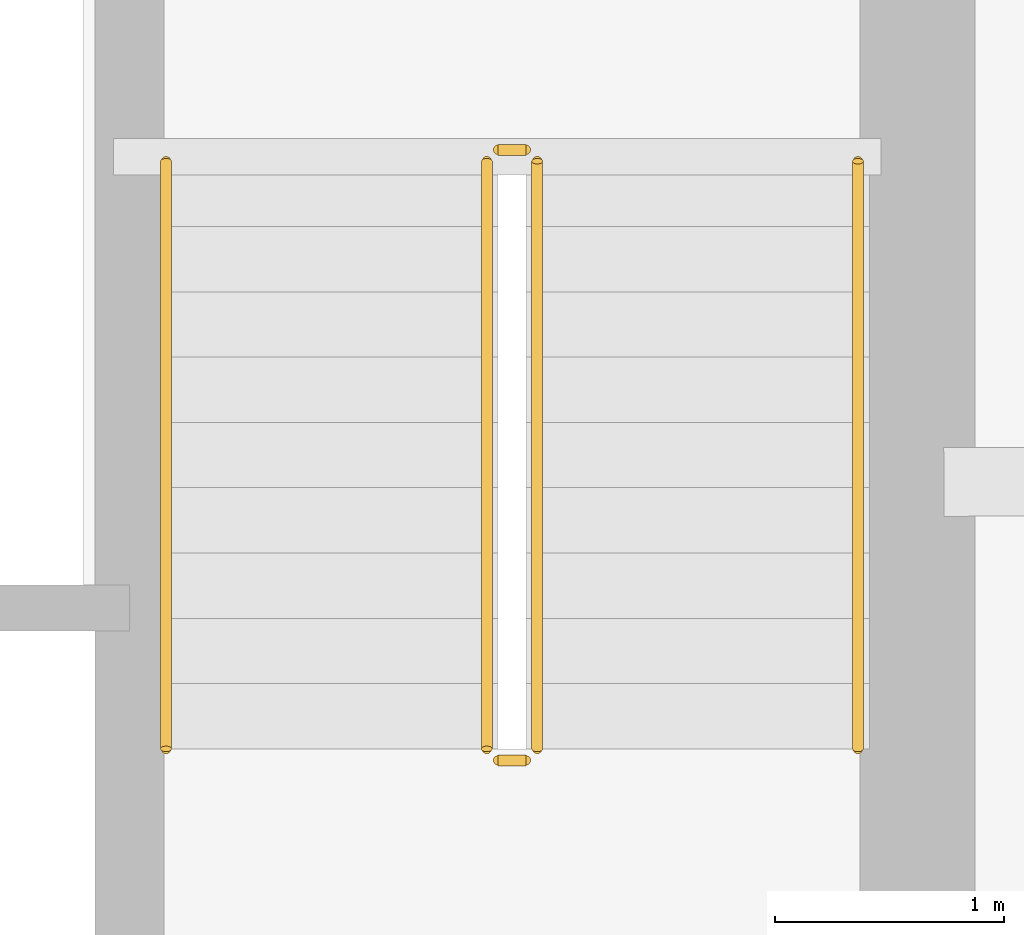
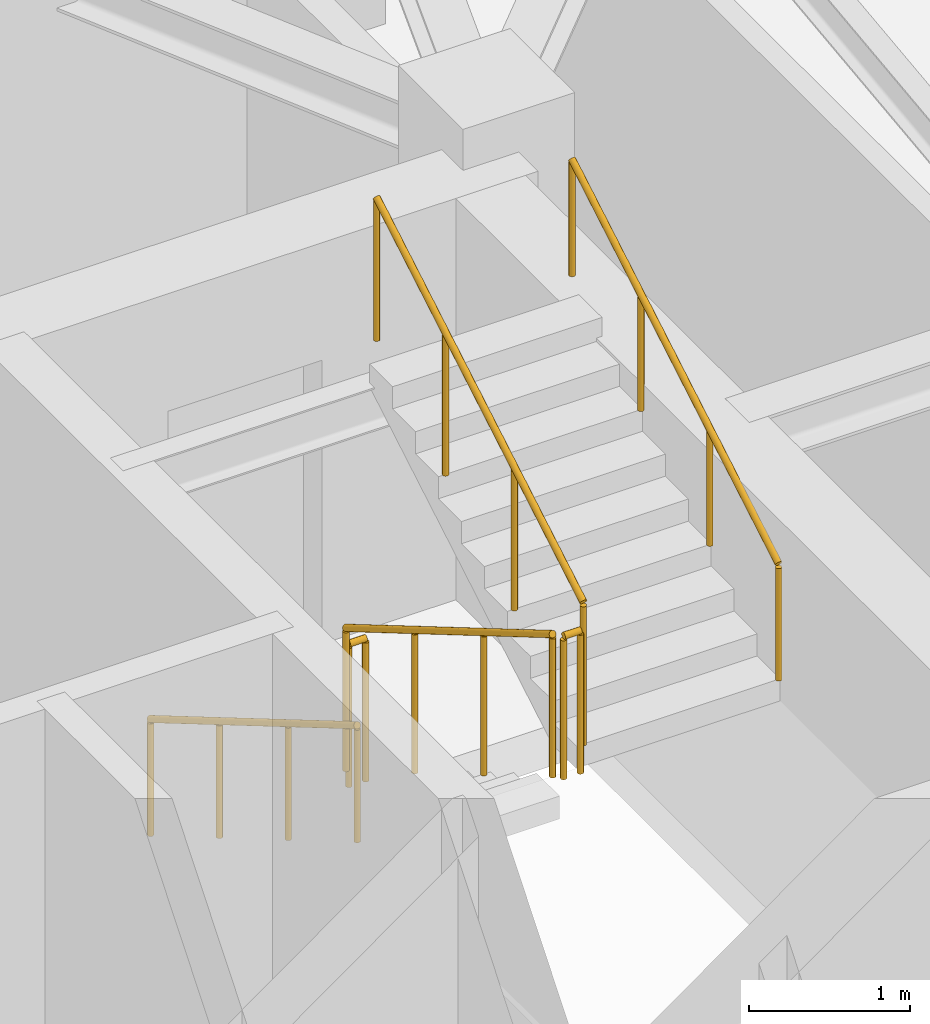
# One storey, part 12 of 12: 6 railings.
"""IFC4 building model written with IfcOpenShell, lengths in metres."""

from ifc_helpers import new_model, si_unit, direction, frame, origin, origin_2d, place, context, subcontext, project, spatial, circle, extrude, material, type_object, element, save


model = new_model("IFC4")

# Units and contexts
model_context = context("Model", 3, precision=1e-05, world=origin(), true_north=direction((0.0, 1.0)))
body_context = subcontext(model_context, "Body", "Model", "MODEL_VIEW")
ifc_project = project(units=[si_unit("LENGTHUNIT", "METRE"), si_unit("AREAUNIT", "SQUARE_METRE"), si_unit("VOLUMEUNIT", "CUBIC_METRE"), si_unit("PLANEANGLEUNIT", "RADIAN"), si_unit("MASSUNIT", "GRAM", prefix="KILO")], contexts=[model_context])

# Site, building, storey
site_placement = place(None, origin())
site = spatial("IfcSite", under=ifc_project, at=site_placement, CompositionType="ELEMENT")
building_placement = place(site_placement, origin())
building = spatial("IfcBuilding", under=site, at=building_placement, Name="Qobustan Lattice House", CompositionType="ELEMENT")
storey_placement = place(building_placement, frame((0.0, 0.0, 189.699951171875)))
storey = spatial("IfcBuildingStorey", under=building, at=storey_placement, Name="L53", CompositionType="ELEMENT", Elevation=189.699951171875)

# Railings
ifc_material_1 = material(Name="Brushed stainless steel handrail", Category="steel")
railing_type_1 = type_object("IfcRailingType", Name="RAL-HR-920", PredefinedType="HANDRAIL", material=ifc_material_1)
railing_1_placement = place(storey_placement, frame((15.179931640625, 3.5, 0.16748046875)))
element("IfcRailing", 1, at=railing_1_placement, inside=storey, type_object=railing_type_1, Name="L53 ST-E1 stair handrail 1", PredefinedType="HANDRAIL", context=body_context, shape_type="SweptSolid", body=[
    extrude(circle(Radius=0.02392578125, at=origin_2d()), frame((0.0, 0.0, 0.8759765625), z_axis=(0.0, -0.862113467892, 0.50671527358), x_axis=(1.0, 0.0, 0.0)), (0.0, 0.0, 1.0), 2.97509765625),
    extrude(circle(Radius=0.02099609375, at=origin_2d()), origin(), (0.0, 0.0, 1.0), 0.851806640625),
    extrude(circle(Radius=0.02099609375, at=origin_2d()), frame((0.0, -0.85498046875, 0.50244140625)), (0.0, 0.0, 1.0), 0.851806640625),
    extrude(circle(Radius=0.02099609375, at=origin_2d()), frame((0.0, -1.7099609375, 1.005126953125)), (0.0, 0.0, 1.0), 0.851806640625),
    extrude(circle(Radius=0.02099609375, at=origin_2d()), frame((0.0, -2.56494140625, 1.507568359375)), (0.0, 0.0, 1.0), 0.851806640625),
])
railing_2_placement = place(storey_placement, frame((18.199951171875, 0.93505859375, 1.842529296875)))
element("IfcRailing", 2, at=railing_2_placement, inside=storey, type_object=railing_type_1, Name="L53 ST-E1 stair handrail 2", PredefinedType="HANDRAIL", context=body_context, shape_type="SweptSolid", body=[
    extrude(circle(Radius=0.02392578125, at=origin_2d()), frame((0.0, 0.0, 0.8759765625), z_axis=(0.0, 0.862113467892, 0.50671527358), x_axis=(-1.0, 0.0, 0.0)), (0.0, 0.0, 1.0), 2.97509765625),
    extrude(circle(Radius=0.02099609375, at=origin_2d()), origin(), (0.0, 0.0, 1.0), 0.851806640625),
    extrude(circle(Radius=0.02099609375, at=origin_2d()), frame((0.0, 0.85498046875, 0.50244140625)), (0.0, 0.0, 1.0), 0.851806640625),
    extrude(circle(Radius=0.02099609375, at=origin_2d()), frame((0.0, 1.7099609375, 1.005126953125)), (0.0, 0.0, 1.0), 0.851806640625),
    extrude(circle(Radius=0.02099609375, at=origin_2d()), frame((0.0, 2.56494140625, 1.507568359375)), (0.0, 0.0, 1.0), 0.851806640625),
])
ifc_material_2 = material(Name="Painted galvanized steel guardrail", Category="steel")
railing_type_2 = type_object("IfcRailingType", Name="RAL-STG-1150", PredefinedType="GUARDRAIL", material=ifc_material_2)
railing_3_placement = place(storey_placement, frame((16.580078125, 3.5, 0.16748046875)))
element("IfcRailing", 3, at=railing_3_placement, inside=storey, type_object=railing_type_2, Name="L53 ST-E1 stair guard 1", PredefinedType="GUARDRAIL", context=body_context, shape_type="SweptSolid", body=[
    extrude(circle(Radius=0.02392578125, at=origin_2d()), frame((0.0, 0.0, 1.076171875), z_axis=(0.0, -0.862113467892, 0.50671527358), x_axis=(1.0, 0.0, 0.0)), (0.0, 0.0, 1.0), 2.97509765625),
    extrude(circle(Radius=0.02099609375, at=origin_2d()), origin(), (0.0, 0.0, 1.0), 1.052001953125),
    extrude(circle(Radius=0.02099609375, at=origin_2d()), frame((0.0, -0.85498046875, 0.50244140625)), (0.0, 0.0, 1.0), 1.052001953125),
    extrude(circle(Radius=0.02099609375, at=origin_2d()), frame((0.0, -1.7099609375, 1.005126953125)), (0.0, 0.0, 1.0), 1.052001953125),
    extrude(circle(Radius=0.02099609375, at=origin_2d()), frame((0.0, -2.56494140625, 1.507568359375)), (0.0, 0.0, 1.0), 1.052001953125),
])
railing_4_placement = place(storey_placement, frame((16.6298828125, 0.885009765625, 1.675048828125)))
element("IfcRailing", 4, at=railing_4_placement, inside=storey, type_object=railing_type_2, Name="L53 ST-E1 stair guard 2", PredefinedType="GUARDRAIL", context=body_context, shape_type="SweptSolid", body=[
    extrude(circle(Radius=0.02392578125, at=origin_2d()), frame((0.0, 0.0, 1.076171875), z_axis=(1.0, 0.0, 0.0), x_axis=(0.0, 1.0, 0.0)), (0.0, 0.0, 1.0), 0.1201171875),
    extrude(circle(Radius=0.02099609375, at=origin_2d()), origin(), (0.0, 0.0, 1.0), 1.052001953125),
    extrude(circle(Radius=0.02099609375, at=origin_2d()), frame((0.1201171875, 0.0, 0.0)), (0.0, 0.0, 1.0), 1.052001953125),
])
railing_5_placement = place(storey_placement, frame((16.800048828125, 0.93505859375, 1.842529296875)))
element("IfcRailing", 5, at=railing_5_placement, inside=storey, type_object=railing_type_2, Name="L53 ST-E1 stair guard 3", PredefinedType="GUARDRAIL", context=body_context, shape_type="SweptSolid", body=[
    extrude(circle(Radius=0.02392578125, at=origin_2d()), frame((0.0, 0.0, 1.076171875), z_axis=(0.0, 0.862113467892, 0.50671527358), x_axis=(-1.0, 0.0, 0.0)), (0.0, 0.0, 1.0), 2.97509765625),
    extrude(circle(Radius=0.02099609375, at=origin_2d()), origin(), (0.0, 0.0, 1.0), 1.052001953125),
    extrude(circle(Radius=0.02099609375, at=origin_2d()), frame((0.0, 0.85498046875, 0.50244140625)), (0.0, 0.0, 1.0), 1.052001953125),
    extrude(circle(Radius=0.02099609375, at=origin_2d()), frame((0.0, 1.7099609375, 1.005126953125)), (0.0, 0.0, 1.0), 1.052001953125),
    extrude(circle(Radius=0.02099609375, at=origin_2d()), frame((0.0, 2.56494140625, 1.507568359375)), (0.0, 0.0, 1.0), 1.052001953125),
])
railing_6_placement = place(storey_placement, frame((16.6298828125, 3.550048828125, 0.0)))
element("IfcRailing", 6, at=railing_6_placement, inside=storey, type_object=railing_type_2, Name="L53 ST-E1 stair guard 4", PredefinedType="GUARDRAIL", context=body_context, shape_type="SweptSolid", body=[
    extrude(circle(Radius=0.02392578125, at=origin_2d()), frame((0.0, 0.0, 1.076171875), z_axis=(1.0, 0.0, 0.0), x_axis=(0.0, 1.0, 0.0)), (0.0, 0.0, 1.0), 0.1201171875),
    extrude(circle(Radius=0.02099609375, at=origin_2d()), origin(), (0.0, 0.0, 1.0), 1.052001953125),
    extrude(circle(Radius=0.02099609375, at=origin_2d()), frame((0.1201171875, 0.0, 0.0)), (0.0, 0.0, 1.0), 1.052001953125),
])

save(model, "model.ifc")
